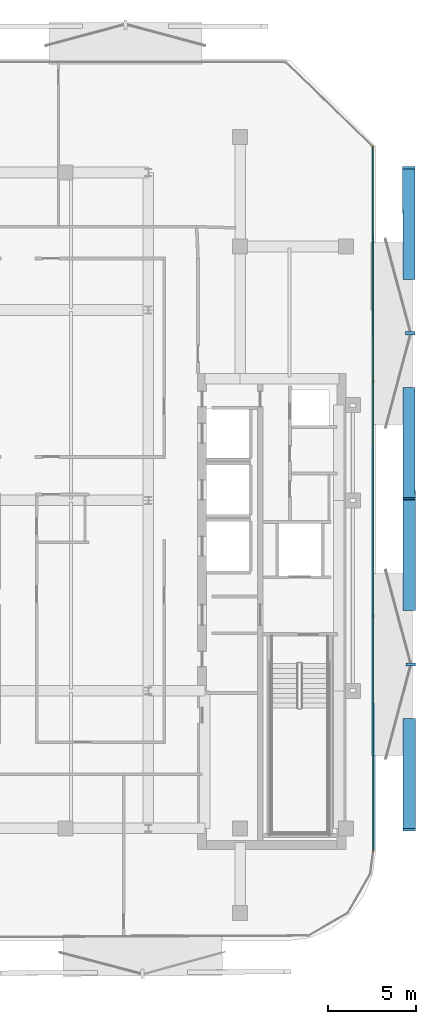
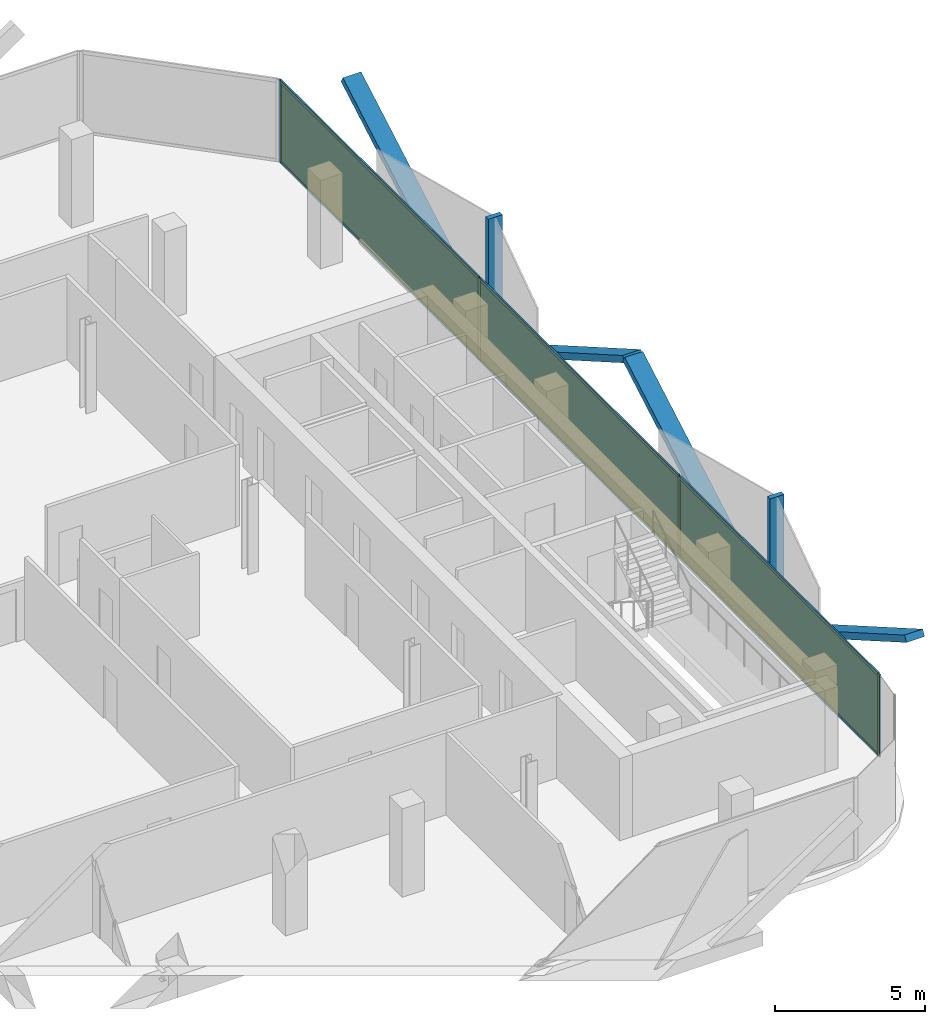
# One storey, part 9 of 14: 16 members, 3 plates, 1 curtain wall.
"""IFC4 building model written with IfcOpenShell, lengths in metres."""

import ifcopenshell
import ifcopenshell.guid

model = None  # the IFC model being written
_history = None  # IfcOwnerHistory: only IFC2X3 demands one
_inside = {}  # id of a spatial element -> (the spatial element, [elements in it])
_under = {}  # id of a project, library or spatial element -> (it, [spatial elements below it])
_declared = {}  # id of a project -> (the project, [libraries it declares])
_typed = {}  # id of a type object -> (the type object, [elements of that type])
_made_of = {}  # id of a material, layer set ... -> (it, [elements and type objects made of it])


def new_model(schema):
    """Start an empty IFC model of exactly this schema.

    Asked for "IFC4X3", IfcOpenShell would pick the latest addendum, in which some entities
    have other attributes; the version numbers below select the first issue.
    IFC2X3 requires an IfcOwnerHistory on every rooted entity: one is made here for all.
    """
    global model, _history
    if schema == "IFC4X3":
        model = ifcopenshell.file(schema_version=(4, 3, 0, 0))
    else:
        model = ifcopenshell.file(schema=schema)
    _inside.clear()
    _under.clear()
    _declared.clear()
    _typed.clear()
    _made_of.clear()
    _history = None
    if model.schema == "IFC2X3":
        org = make("IfcOrganization", Name="unknown")
        user = make(
            "IfcPersonAndOrganization",
            ThePerson=make("IfcPerson", FamilyName="unknown"),
            TheOrganization=org,
        )
        app = make(
            "IfcApplication",
            ApplicationDeveloper=org,
            Version="unknown",
            ApplicationFullName="unknown",
            ApplicationIdentifier="unknown",
        )
        _history = make(
            "IfcOwnerHistory",
            OwningUser=user,
            OwningApplication=app,
            ChangeAction="ADDED",
            CreationDate=0,
        )
    return model


def make(cls, **values):
    """One entity of the class cls with the attributes given. An attribute that is None is left unset."""
    return model.create_entity(
        cls, **{name: value for name, value in values.items() if value is not None}
    )


def rooted(cls, **values):
    """An entity with a GlobalId (a new one), such as an element, a storey or a relation."""
    return make(cls, GlobalId=ifcopenshell.guid.new(), OwnerHistory=_history, **values)


def si_unit(unit_type, name, prefix=None):
    """IfcSIUnit, for example si_unit("LENGTHUNIT", "METRE", prefix="MILLI")."""
    return make("IfcSIUnit", UnitType=unit_type, Prefix=prefix, Name=name)


def assignment(units):
    """IfcUnitAssignment: the units of a project."""
    return None if units is None else make("IfcUnitAssignment", Units=units)


def point(xyz):
    """IfcCartesianPoint."""
    return None if xyz is None else make("IfcCartesianPoint", Coordinates=xyz)


def direction(xyz):
    """IfcDirection."""
    return None if xyz is None else make("IfcDirection", DirectionRatios=xyz)


def frame(location, z_axis=None, x_axis=None):
    """IfcAxis2Placement3D, a coordinate frame: its origin and axes. An axis left out is left unset."""
    return make(
        "IfcAxis2Placement3D",
        Location=point(location),
        Axis=direction(z_axis),
        RefDirection=direction(x_axis),
    )


def frame_2d(location, x_axis=None):
    """IfcAxis2Placement2D, a coordinate frame in the plane: its origin and x axis."""
    return make(
        "IfcAxis2Placement2D", Location=point(location), RefDirection=direction(x_axis)
    )


def origin():
    """The frame at (0, 0, 0) with its axes left unset."""
    return frame((0.0, 0.0, 0.0))


def origin_2d():
    """The frame at (0, 0) in the plane with its x axis left unset."""
    return frame_2d((0.0, 0.0))


def place(relative_to, where):
    """IfcLocalPlacement: puts the frame where relative to a parent placement (None: the world)."""
    return make(
        "IfcLocalPlacement", PlacementRelTo=relative_to, RelativePlacement=where
    )


def context(
    kind, dimensions, precision=None, world=None, true_north=None, identifier=None
):
    """IfcGeometricRepresentationContext, for example the 3D "Model" context."""
    return make(
        "IfcGeometricRepresentationContext",
        ContextIdentifier=identifier,
        ContextType=kind,
        CoordinateSpaceDimension=dimensions,
        Precision=precision,
        WorldCoordinateSystem=world,
        TrueNorth=true_north,
    )


def subcontext(parent, identifier, kind, view, scale=None):
    """IfcGeometricRepresentationSubContext, for example "Body" below "Model"."""
    return make(
        "IfcGeometricRepresentationSubContext",
        ContextIdentifier=identifier,
        ContextType=kind,
        ParentContext=parent,
        TargetScale=scale,
        TargetView=view,
    )


def project(units=None, contexts=None):
    """IfcProject with its units and contexts."""
    return rooted(
        "IfcProject",
        Name="project",
        RepresentationContexts=contexts,
        UnitsInContext=assignment(units),
    )


def spatial(cls, under=None, at=None, **own):
    """A site, building, storey or space (cls), placed at a placement, below another one or the project."""
    s = rooted(cls, ObjectPlacement=at, **own)
    if under is not None:
        _under.setdefault(under.id(), (under, []))[1].append(s)
    return s


def profile(cls, at=None, kind="AREA", **sizes):
    """A parametric profile (cls). Its sizes go by their IFC names, for example OverallWidth=200.0."""
    return make(cls, ProfileType=kind, Position=at, **sizes)


def rectangle(**sizes):
    """IfcRectangleProfileDef."""
    return profile("IfcRectangleProfileDef", **sizes)


def extrude(swept, where, along, depth):
    """IfcExtrudedAreaSolid: the profile swept, set in the frame where, extruded along a direction by depth."""
    return make(
        "IfcExtrudedAreaSolid",
        SweptArea=swept,
        Position=where,
        ExtrudedDirection=direction(along),
        Depth=depth,
    )


def shape(context_of_items, identifier, shape_type, items):
    """IfcShapeRepresentation: the items that make up one representation, for example the "Body"."""
    return make(
        "IfcShapeRepresentation",
        ContextOfItems=context_of_items,
        RepresentationIdentifier=identifier,
        RepresentationType=shape_type,
        Items=items,
    )


def material(Name=None, Category=None):
    """IfcMaterial."""
    return make("IfcMaterial", Name=Name, Category=Category)


def layer(
    of_material, thickness, ventilated=None, Name=None, Category=None, Priority=None
):
    """IfcMaterialLayer: one layer of a wall or slab, of a material (None: an air gap)."""
    return make(
        "IfcMaterialLayer",
        Material=of_material,
        LayerThickness=thickness,
        IsVentilated=ventilated,
        Name=Name,
        Category=Category,
        Priority=Priority,
    )


def layer_set(layers, Name=None):
    """IfcMaterialLayerSet."""
    return make("IfcMaterialLayerSet", MaterialLayers=layers, LayerSetName=Name)


def material_profile(
    of_material, cross_section, Name=None, Category=None, Priority=None
):
    """IfcMaterialProfile: a cross section and its material."""
    return make(
        "IfcMaterialProfile",
        Name=Name,
        Material=of_material,
        Profile=cross_section,
        Priority=Priority,
        Category=Category,
    )


def profile_set(profiles, Name=None, composite=None):
    """IfcMaterialProfileSet."""
    return make(
        "IfcMaterialProfileSet",
        Name=Name,
        MaterialProfiles=profiles,
        CompositeProfile=composite,
    )


def made_of(thing, what):
    """Note that an element or type object is made of a material, layer set ...; save() writes the relation."""
    if what is not None:
        _made_of.setdefault(what.id(), (what, []))[1].append(thing)
    return thing


def type_object(cls, material=None, **own):
    """A type object (cls), such as IfcWallType, which elements share."""
    return made_of(rooted(cls, **own), material)


def element(
    cls,
    number,
    at=None,
    inside=None,
    cuts=None,
    type_object=None,
    material=None,
    context=None,
    identifier="Body",
    shape_type=None,
    held_by="IfcProductDefinitionShape",
    body=None,
    shapes=None,
    **own,
):
    """One element of the class cls, such as IfcWall. Its Tag is "e" and its number.

    at: its placement. inside: the storey or other place that contains it. cuts: it is an
    opening in that element (IfcRelVoidsElement). A single representation is given by context,
    identifier, shape_type and body (its items); several are given by shapes. held_by: the class
    of the entity that holds the representations. save() writes the other relations.
    """
    e = rooted(cls, Tag="e%d" % number, ObjectPlacement=at, **own)
    if body is not None:
        shapes = [shape(context, identifier, shape_type, body)]
    if shapes is not None:
        e.Representation = make(held_by, Representations=shapes)
    if inside is not None:
        _inside.setdefault(inside.id(), (inside, []))[1].append(e)
    if cuts is not None:
        rooted(
            "IfcRelVoidsElement", RelatingBuildingElement=cuts, RelatedOpeningElement=e
        )
    if type_object is not None:
        _typed.setdefault(type_object.id(), (type_object, []))[1].append(e)
    return made_of(e, material)


def aggregate(whole, parts):
    """IfcRelAggregates: a whole, such as a stair, and the parts it consists of."""
    return rooted("IfcRelAggregates", RelatingObject=whole, RelatedObjects=parts)


def save(model, path):
    """Write the relations noted so far, then the file.

    IfcRelAggregates (storeys below a building ...), IfcRelContainedInSpatialStructure (elements
    in a storey), IfcRelDefinesByType, IfcRelAssociatesMaterial and IfcRelDeclares: one each for
    every whole, place, type object, material and project.
    """
    for whole, parts in _under.values():
        aggregate(whole, parts)
    for where, things in _inside.values():
        rooted(
            "IfcRelContainedInSpatialStructure",
            RelatedElements=things,
            RelatingStructure=where,
        )
    for kind, things in _typed.values():
        rooted("IfcRelDefinesByType", RelatedObjects=things, RelatingType=kind)
    for what, things in _made_of.values():
        rooted("IfcRelAssociatesMaterial", RelatedObjects=things, RelatingMaterial=what)
    for by, libraries in _declared.values():
        rooted("IfcRelDeclares", RelatingContext=by, RelatedDefinitions=libraries)
    model.write(path)


model = new_model("IFC4")

# Units and contexts
model_context = context("Model", 3, precision=1e-05, world=origin(), true_north=direction((0.0, 1.0)))
body_context = subcontext(model_context, "Body", "Model", "MODEL_VIEW")
ifc_project = project(units=[si_unit("LENGTHUNIT", "METRE"), si_unit("AREAUNIT", "SQUARE_METRE"), si_unit("VOLUMEUNIT", "CUBIC_METRE"), si_unit("PLANEANGLEUNIT", "RADIAN"), si_unit("MASSUNIT", "GRAM", prefix="KILO")], contexts=[model_context])

# Member
ifc_material_1 = material(Name="Anodised Bronze Aluminium 6063-T6", Category="aluminium")
ifc_material_profile_1 = material_profile(ifc_material_1, rectangle(XDim=0.260009765625, YDim=0.699951171875, at=origin_2d()))
ifc_profile_set_1 = profile_set([ifc_material_profile_1], Name="Anodised Bronze Aluminium 6063-T6")
member_type_1 = type_object("IfcMemberType", Name="Bronze Diamond Solar-Screen Lattice Rib BDL-700", PredefinedType="MULLION", material=ifc_profile_set_1)
site_placement = place(None, origin())
building_placement = place(site_placement, origin())
storey_placement = place(building_placement, frame((0.0, 0.0, 240.39990234375)))
member_1_placement = place(storey_placement, frame((23.985107421875, 6.347412109375, -0.1298828125), z_axis=(0.000473353534, -0.866845565295, 0.498576515557), x_axis=(0.000795853499, -0.49857608696, -0.866845575711)))
member_1 = element("IfcMember", 1, at=member_1_placement, type_object=member_type_1, Name="L56 Bronze Diamond Solar Screen Lattice Rib 383A", PredefinedType="MULLION", context=body_context, shape_type="SweptSolid", body=[
    extrude(rectangle(XDim=0.260009765625, YDim=0.699951171875, at=origin_2d()), origin(), (0.0, 0.0, 1.0), 7.220703125),
])

member_2_placement = place(storey_placement, frame((23.9814453125, 12.606689453125, -0.1298828125), z_axis=(-0.000507149629, 0.866853955246, 0.498561894928), x_axis=(-0.000815280324, 0.498561434933, -0.866853984772)))
member_2 = element("IfcMember", 2, at=member_2_placement, type_object=member_type_1, Name="L56 Bronze Diamond Solar Screen Lattice Rib 383B", PredefinedType="MULLION", context=body_context, shape_type="SweptSolid", body=[
    extrude(rectangle(XDim=0.260009765625, YDim=0.699951171875, at=origin_2d()), origin(), (0.0, 0.0, 1.0), 7.220947265625),
])

member_3_placement = place(storey_placement, frame((23.99560546875, -12.430419921875, -0.1298828125), z_axis=(0.000507164493, -0.866845550926, 0.498576507292), x_axis=(0.00081530025, -0.498576047274, -0.866845580464)))
member_3 = element("IfcMember", 3, at=member_3_placement, type_object=member_type_1, Name="L56 Bronze Diamond Solar Screen Lattice Rib 384A", PredefinedType="MULLION", context=body_context, shape_type="SweptSolid", body=[
    extrude(rectangle(XDim=0.260009765625, YDim=0.699951171875, at=origin_2d()), origin(), (0.0, 0.0, 1.0), 7.220703125),
])

member_4_placement = place(storey_placement, frame((23.9921875, -6.171142578125, -0.1298828125), z_axis=(-0.000507164493, 0.866845550926, 0.498576507292), x_axis=(-0.00081530025, 0.498576047274, -0.866845580464)))
member_4 = element("IfcMember", 4, at=member_4_placement, type_object=member_type_1, Name="L56 Bronze Diamond Solar Screen Lattice Rib 384B", PredefinedType="MULLION", context=body_context, shape_type="SweptSolid", body=[
    extrude(rectangle(XDim=0.260009765625, YDim=0.699951171875, at=origin_2d()), origin(), (0.0, 0.0, 1.0), 7.220703125),
])

ifc_material_2 = material(Name="Anodised Bronze Aluminium 6063-T6", Category="aluminium")
ifc_material_profile_2 = material_profile(ifc_material_2, rectangle(XDim=0.179931640625, YDim=0.5400390625, at=origin_2d()))
ifc_profile_set_2 = profile_set([ifc_material_profile_2], Name="Anodised Bronze Aluminium 6063-T6")
member_type_2 = type_object("IfcMemberType", Name="Bronze Solar-Screen Vertical Fold Fin BSF-540", PredefinedType="MULLION", material=ifc_profile_set_2)
member_5_placement = place(storey_placement, frame((24.063232421875, 9.477294921875, -0.1298828125), z_axis=(0.0, 0.0, 1.0), x_axis=(0.000523598752, -0.999999862922, 0.0)))
member_5 = element("IfcMember", 5, at=member_5_placement, type_object=member_type_2, Name="L56 Bronze Solar Screen Vertical Fin 383", PredefinedType="MULLION", context=body_context, shape_type="SweptSolid", body=[
    extrude(rectangle(XDim=0.179931640625, YDim=0.5400390625, at=origin_2d()), origin(), (0.0, 0.0, 1.0), 3.60009765625),
])

member_6_placement = place(storey_placement, frame((24.073974609375, -9.30078125, -0.1298828125), z_axis=(0.0, 0.0, 1.0), x_axis=(0.000523598752, -0.999999862922, 0.0)))
member_6 = element("IfcMember", 6, at=member_6_placement, type_object=member_type_2, Name="L56 Bronze Solar Screen Vertical Fin 384", PredefinedType="MULLION", context=body_context, shape_type="SweptSolid", body=[
    extrude(rectangle(XDim=0.179931640625, YDim=0.5400390625, at=origin_2d()), origin(), (0.0, 0.0, 1.0), 3.60009765625),
])

ifc_material_3 = material(Name="Anodised Bronze Aluminium 6063-T6", Category="aluminium")
ifc_material_profile_3 = material_profile(ifc_material_3, rectangle(XDim=0.06005859375, YDim=0.159912109375, at=origin_2d()))
ifc_profile_set_3 = profile_set([ifc_material_profile_3], Name="Anodised Bronze Aluminium 6063-T6")
member_type_3 = type_object("IfcMemberType", Name="CW-Z4 Mullion 60x160", PredefinedType="MULLION", material=ifc_profile_set_3)
member_7_placement = place(storey_placement, frame((21.93701171875, 20.034912109375, 0.0), z_axis=(0.0, 0.0, 1.0), x_axis=(0.999999835758, 0.000573134644, 0.0)))
member_7 = element("IfcMember", 7, at=member_7_placement, type_object=member_type_3, Name="CW-Z4 mullion 1", PredefinedType="MULLION", context=body_context, shape_type="SweptSolid", body=[
    extrude(rectangle(XDim=0.06005859375, YDim=0.159912109375, at=origin_2d()), origin(), (0.0, 0.0, 1.0), 3.340087890625),
])

member_8_placement = place(storey_placement, frame((21.94482421875, 6.746337890625, 0.0), z_axis=(0.0, 0.0, 1.0), x_axis=(0.999999835758, 0.000573134644, 0.0)))
member_8 = element("IfcMember", 8, at=member_8_placement, type_object=member_type_3, Name="CW-Z4 mullion 2", PredefinedType="MULLION", context=body_context, shape_type="SweptSolid", body=[
    extrude(rectangle(XDim=0.06005859375, YDim=0.159912109375, at=origin_2d()), origin(), (0.0, 0.0, 1.0), 3.340087890625),
])

member_9_placement = place(storey_placement, frame((21.952392578125, -6.572265625, 0.0), z_axis=(0.0, 0.0, 1.0), x_axis=(0.999999835758, 0.000573134644, 0.0)))
member_9 = element("IfcMember", 9, at=member_9_placement, type_object=member_type_3, Name="CW-Z4 mullion 3", PredefinedType="MULLION", context=body_context, shape_type="SweptSolid", body=[
    extrude(rectangle(XDim=0.06005859375, YDim=0.159912109375, at=origin_2d()), origin(), (0.0, 0.0, 1.0), 3.340087890625),
])

member_10_placement = place(storey_placement, frame((21.9599609375, -19.86083984375, 0.0), z_axis=(0.0, 0.0, 1.0), x_axis=(0.999999835758, 0.000573134644, 0.0)))
member_10 = element("IfcMember", 10, at=member_10_placement, type_object=member_type_3, Name="CW-Z4 mullion 4", PredefinedType="MULLION", context=body_context, shape_type="SweptSolid", body=[
    extrude(rectangle(XDim=0.06005859375, YDim=0.159912109375, at=origin_2d()), origin(), (0.0, 0.0, 1.0), 3.340087890625),
])

ifc_material_4 = material(Name="Anodised Bronze Aluminium 6063-T6", Category="aluminium")
ifc_material_profile_4 = material_profile(ifc_material_4, rectangle(XDim=0.06005859375, YDim=0.125, at=origin_2d()))
ifc_profile_set_4 = profile_set([ifc_material_profile_4], Name="Anodised Bronze Aluminium 6063-T6")
member_type_4 = type_object("IfcMemberType", Name="CW-Z4 Transom 60x125", PredefinedType="USERDEFINED", material=ifc_profile_set_4)
member_11_placement = place(storey_placement, frame((21.937255859375, 20.0048828125, 0.030029296875), z_axis=(0.000572124519, -0.999999836337, 0.0), x_axis=(0.999999836337, 0.000572124519, 0.0)))
member_11 = element("IfcMember", 11, at=member_11_placement, type_object=member_type_4, Name="CW-Z4 transom 1.1", ObjectType="TRANSOM", PredefinedType="USERDEFINED", context=body_context, shape_type="SweptSolid", body=[
    extrude(rectangle(XDim=0.06005859375, YDim=0.125, at=origin_2d()), origin(), (0.0, 0.0, 1.0), 13.228515625),
])

member_12_placement = place(storey_placement, frame((21.937255859375, 20.0048828125, 3.31005859375), z_axis=(0.000572124519, -0.999999836337, 0.0), x_axis=(0.999999836337, 0.000572124519, 0.0)))
member_12 = element("IfcMember", 12, at=member_12_placement, type_object=member_type_4, Name="CW-Z4 transom 1.2", ObjectType="TRANSOM", PredefinedType="USERDEFINED", context=body_context, shape_type="SweptSolid", body=[
    extrude(rectangle(XDim=0.06005859375, YDim=0.125, at=origin_2d()), origin(), (0.0, 0.0, 1.0), 13.228515625),
])

member_13_placement = place(storey_placement, frame((21.94482421875, 6.71630859375, 0.030029296875), z_axis=(0.000570828714, -0.999999837077, 0.0), x_axis=(0.999999837077, 0.000570828714, 0.0)))
member_13 = element("IfcMember", 13, at=member_13_placement, type_object=member_type_4, Name="CW-Z4 transom 2.1", ObjectType="TRANSOM", PredefinedType="USERDEFINED", context=body_context, shape_type="SweptSolid", body=[
    extrude(rectangle(XDim=0.06005859375, YDim=0.125, at=origin_2d()), origin(), (0.0, 0.0, 1.0), 13.258544921875),
])

member_14_placement = place(storey_placement, frame((21.94482421875, 6.71630859375, 3.31005859375), z_axis=(0.000570828714, -0.999999837077, 0.0), x_axis=(0.999999837077, 0.000570828714, 0.0)))
member_14 = element("IfcMember", 14, at=member_14_placement, type_object=member_type_4, Name="CW-Z4 transom 2.2", ObjectType="TRANSOM", PredefinedType="USERDEFINED", context=body_context, shape_type="SweptSolid", body=[
    extrude(rectangle(XDim=0.06005859375, YDim=0.125, at=origin_2d()), origin(), (0.0, 0.0, 1.0), 13.258544921875),
])

member_15_placement = place(storey_placement, frame((21.952392578125, -6.602294921875, 0.030029296875), z_axis=(0.000572124519, -0.999999836337, 0.0), x_axis=(0.999999836337, 0.000572124519, 0.0)))
member_15 = element("IfcMember", 15, at=member_15_placement, type_object=member_type_4, Name="CW-Z4 transom 3.1", ObjectType="TRANSOM", PredefinedType="USERDEFINED", context=body_context, shape_type="SweptSolid", body=[
    extrude(rectangle(XDim=0.06005859375, YDim=0.125, at=origin_2d()), origin(), (0.0, 0.0, 1.0), 13.228515625),
])

member_16_placement = place(storey_placement, frame((21.952392578125, -6.602294921875, 3.31005859375), z_axis=(0.000572124519, -0.999999836337, 0.0), x_axis=(0.999999836337, 0.000572124519, 0.0)))
member_16 = element("IfcMember", 16, at=member_16_placement, type_object=member_type_4, Name="CW-Z4 transom 3.2", ObjectType="TRANSOM", PredefinedType="USERDEFINED", context=body_context, shape_type="SweptSolid", body=[
    extrude(rectangle(XDim=0.06005859375, YDim=0.125, at=origin_2d()), origin(), (0.0, 0.0, 1.0), 13.228515625),
])

# Plate
ifc_material_5 = material(Name="Low-E Solar Control Laminated Glass", Category="glass")
ifc_layer_1 = layer(ifc_material_5, 0.030029296875, Name="Low-E Solar Control Laminated Glass")
ifc_layer_set_1 = layer_set([ifc_layer_1], Name="Low-E Solar Control Laminated Glass")
plate_type = type_object("IfcPlateType", Name="CW-Z4 Low-E Double Glazed Panel 30mm", PredefinedType="CURTAIN_PANEL", material=ifc_layer_set_1)
plate_1_placement = place(storey_placement, frame((21.94091796875, 13.390625, 0.06005859375), z_axis=(0.0, 0.0, 1.0), x_axis=(0.000573134644, -0.999999835758, 0.0)))
plate_1 = element("IfcPlate", 17, at=plate_1_placement, type_object=plate_type, Name="CW-Z4 panel 1.1", PredefinedType="CURTAIN_PANEL", context=body_context, shape_type="SweptSolid", body=[
    extrude(rectangle(XDim=13.228515625, YDim=0.030029296875, at=origin_2d()), origin(), (0.0, 0.0, 1.0), 3.219970703125),
])

plate_2_placement = place(storey_placement, frame((21.948486328125, 0.087158203125, 0.06005859375), z_axis=(0.0, 0.0, 1.0), x_axis=(0.000573134644, -0.999999835758, 0.0)))
plate_2 = element("IfcPlate", 18, at=plate_2_placement, type_object=plate_type, Name="CW-Z4 panel 2.1", PredefinedType="CURTAIN_PANEL", context=body_context, shape_type="SweptSolid", body=[
    extrude(rectangle(XDim=13.258544921875, YDim=0.030029296875, at=origin_2d()), origin(), (0.0, 0.0, 1.0), 3.219970703125),
])

plate_3_placement = place(storey_placement, frame((21.9560546875, -13.216552734375, 0.06005859375), z_axis=(0.0, 0.0, 1.0), x_axis=(0.000573134644, -0.999999835758, 0.0)))
plate_3 = element("IfcPlate", 19, at=plate_3_placement, type_object=plate_type, Name="CW-Z4 panel 3.1", PredefinedType="CURTAIN_PANEL", context=body_context, shape_type="SweptSolid", body=[
    extrude(rectangle(XDim=13.228515625, YDim=0.030029296875, at=origin_2d()), origin(), (0.0, 0.0, 1.0), 3.219970703125),
])

# Site, building, storey
site = spatial("IfcSite", under=ifc_project, at=site_placement, CompositionType="ELEMENT")
building = spatial("IfcBuilding", under=site, at=building_placement, Name="Khairoan Windgate Tower", CompositionType="ELEMENT")
storey = spatial("IfcBuildingStorey", under=building, at=storey_placement, Name="L56", CompositionType="ELEMENT", Elevation=240.39990234375)

# Curtain wall
ifc_material_6 = material(Name="Anodised Bronze Aluminium 6063-T6", Category="aluminium")
ifc_layer_2 = layer(ifc_material_6, 0.159912109375, Name="Anodised Bronze Aluminium 6063-T6")
ifc_layer_set_2 = layer_set([ifc_layer_2], Name="Anodised Bronze Aluminium 6063-T6")
curtain_wall_type = type_object("IfcCurtainWallType", Name="Sky Residence Unitised Curtain Wall CW-Z4", PredefinedType="NOTDEFINED", material=ifc_layer_set_2)
curtain_wall_placement = place(storey_placement, frame((21.93701171875, 20.06494140625, 0.0), z_axis=(0.0, 0.0, 1.0), x_axis=(0.000574364896, -0.999999835052, 0.0)))
curtain_wall = element("IfcCurtainWall", 20, at=curtain_wall_placement, inside=storey, type_object=curtain_wall_type, Name="L56 Unitised Curtain Wall 11", PredefinedType="NOTDEFINED", context=body_context, shape_type="SweptSolid", body=[
    extrude(rectangle(XDim=39.955810546875, YDim=0.010009765625, at=frame_2d((19.97802734375, 0.0))), origin(), (0.0, 0.0, 1.0), 3.340087890625),
])

aggregate(curtain_wall, [member_7, member_8, member_9, member_10, member_11, member_12, plate_1, member_13, member_14, plate_2, member_15, member_16, plate_3, member_1, member_2, member_5, member_3, member_4, member_6])

save(model, "model.ifc")
